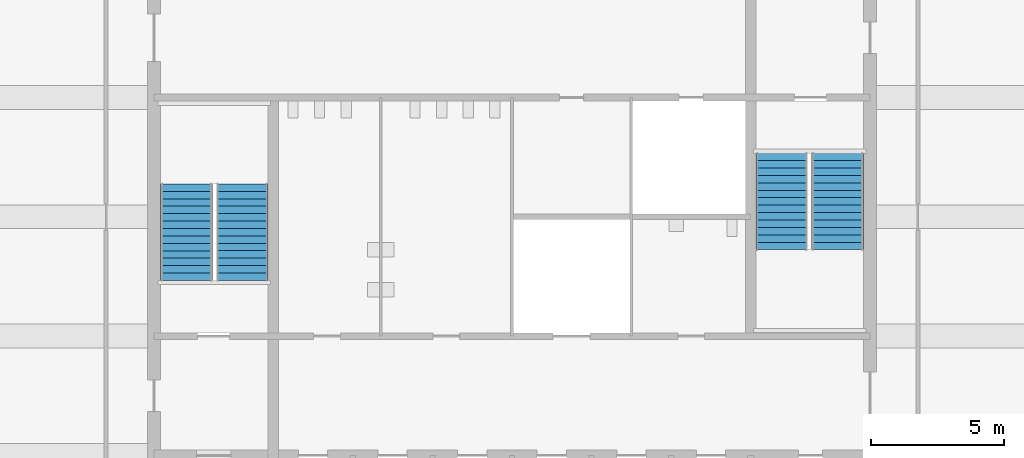
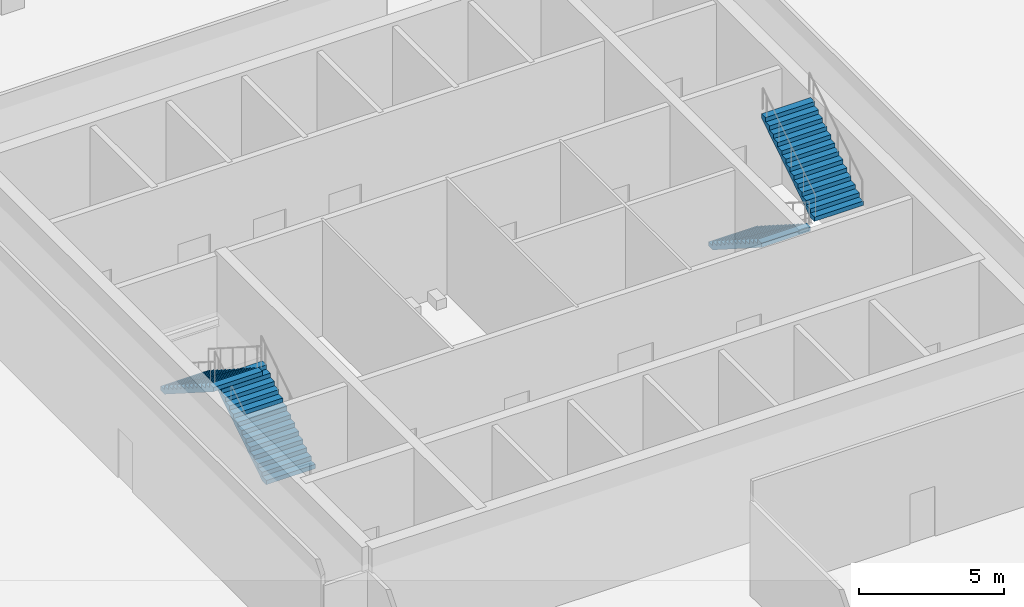
# One storey, part 9 of 12: 4 stair flights, 2 elements without a shape of their own.
"""IFC4 building model written with IfcOpenShell, lengths in metres."""

from ifc_helpers import new_model, si_unit, direction, frame, origin, place, context, subcontext, project, spatial, polyline, outline, extrude, material, type_object, element, aggregate, save


model = new_model("IFC4")

# Units and contexts
model_context = context("Model", 3, precision=1e-05, world=origin(), true_north=direction((0.0, 1.0)))
body_context = subcontext(model_context, "Body", "Model", "MODEL_VIEW")
ifc_project = project(units=[si_unit("LENGTHUNIT", "METRE"), si_unit("AREAUNIT", "SQUARE_METRE"), si_unit("VOLUMEUNIT", "CUBIC_METRE"), si_unit("PLANEANGLEUNIT", "RADIAN"), si_unit("MASSUNIT", "GRAM", prefix="KILO")], contexts=[model_context])

# Site, building, storey
site_placement = place(None, origin())
site = spatial("IfcSite", under=ifc_project, at=site_placement, CompositionType="ELEMENT")
building_placement = place(site_placement, origin())
building = spatial("IfcBuilding", under=site, at=building_placement, Name="Corais Broadcast Tower", CompositionType="ELEMENT")
storey_placement = place(building_placement, frame((0.0, 0.0, 110.60009765625)))
storey = spatial("IfcBuildingStorey", under=building, at=storey_placement, Name="L24", CompositionType="ELEMENT", Elevation=110.60009765625)

# Stair, stair flights
ifc_material_1 = material(Name="Concrete C30/37", Category="concrete")
stair_type = type_object("IfcStairType", Name="Half-turn stair 5000", PredefinedType="HALF_TURN_STAIR", material=ifc_material_1)
stair_1_placement = place(storey_placement, origin())
stair_1 = element("IfcStair", 1, at=stair_1_placement, inside=storey, type_object=stair_type, Name="Stair A L24", PredefinedType="HALF_TURN_STAIR")
ifc_material_2 = material(Name="Concrete C30/37", Category="concrete")
stair_flight_type = type_object("IfcStairFlightType", Name="Stair flight 5000", PredefinedType="STRAIGHT", material=ifc_material_2)
stair_flight_1_placement = place(storey_placement, frame((16.824951171875, 24.60009765625, 0.0), z_axis=(0.0, 0.0, 1.0), x_axis=(0.0, 1.0, 0.0)))
stair_flight_1 = element("IfcStairFlight", 2, at=stair_flight_1_placement, type_object=stair_flight_type, Name="STA flight 1", NumberOfRisers=14, NumberOfTreads=13, PredefinedType="STRAIGHT", RiserHeight=0.178571429, TreadLength=0.28, context=body_context, shape_type="SweptSolid", body=[
    extrude(outline(polyline([(0.0, 0.0), (0.0, 0.178466796875), (0.280029296875, 0.178466796875), (0.280029296875, 0.357177734375), (0.56005859375, 0.357177734375), (0.56005859375, 0.53564453125), (0.840087890625, 0.53564453125), (0.840087890625, 0.71435546875), (1.1201171875, 0.71435546875), (1.1201171875, 0.892822265625), (1.39990234375, 0.892822265625), (1.39990234375, 1.071533203125), (1.679931640625, 1.071533203125), (1.679931640625, 1.25), (1.9599609375, 1.25), (1.9599609375, 1.428466796875), (2.239990234375, 1.428466796875), (2.239990234375, 1.607177734375), (2.52001953125, 1.607177734375), (2.52001953125, 1.78564453125), (2.800048828125, 1.78564453125), (2.800048828125, 1.96435546875), (3.080078125, 1.96435546875), (3.080078125, 2.142822265625), (3.360107421875, 2.142822265625), (3.360107421875, 2.321533203125), (3.639892578125, 2.321533203125), (3.639892578125, 2.5), (3.639892578125, 2.1435546875), (0.27880859375, 0.0), (0.0, 0.0)])), frame((0.0, 0.97509765625, 0.0), z_axis=(0.0, -1.0, 0.0), x_axis=(1.0, 0.0, 0.0)), (0.0, 0.0, 1.0), 1.949951171875),
])
stair_flight_2_placement = place(storey_placement, frame((14.72509765625, 28.239990234375, 2.5), z_axis=(0.0, 0.0, 1.0), x_axis=(0.0, -1.0, 0.0)))
stair_flight_2 = element("IfcStairFlight", 3, at=stair_flight_2_placement, type_object=stair_flight_type, Name="STA flight 2", NumberOfRisers=14, NumberOfTreads=13, PredefinedType="STRAIGHT", RiserHeight=0.178571429, TreadLength=0.28, context=body_context, shape_type="SweptSolid", body=[
    extrude(outline(polyline([(0.0, 0.0), (0.0, 0.178466796875), (0.280029296875, 0.178466796875), (0.280029296875, 0.357177734375), (0.56005859375, 0.357177734375), (0.56005859375, 0.53564453125), (0.840087890625, 0.53564453125), (0.840087890625, 0.71435546875), (1.1201171875, 0.71435546875), (1.1201171875, 0.892822265625), (1.39990234375, 0.892822265625), (1.39990234375, 1.071533203125), (1.679931640625, 1.071533203125), (1.679931640625, 1.25), (1.9599609375, 1.25), (1.9599609375, 1.428466796875), (2.239990234375, 1.428466796875), (2.239990234375, 1.607177734375), (2.52001953125, 1.607177734375), (2.52001953125, 1.78564453125), (2.800048828125, 1.78564453125), (2.800048828125, 1.96435546875), (3.080078125, 1.96435546875), (3.080078125, 2.142822265625), (3.360107421875, 2.142822265625), (3.360107421875, 2.321533203125), (3.639892578125, 2.321533203125), (3.639892578125, 2.5), (3.639892578125, 2.1435546875), (0.27880859375, 0.0), (0.0, 0.0)])), frame((0.0, 0.97509765625, 0.0), z_axis=(0.0, -1.0, 0.0), x_axis=(1.0, 0.0, 0.0)), (0.0, 0.0, 1.0), 1.949951171875),
])
aggregate(stair_1, [stair_flight_1, stair_flight_2])

stair_2_placement = place(storey_placement, origin())
stair_2 = element("IfcStair", 4, at=stair_2_placement, inside=storey, type_object=stair_type, Name="Stair B L24", PredefinedType="HALF_TURN_STAIR")
stair_flight_3_placement = place(storey_placement, frame((37.175048828125, 29.39990234375, 0.0), z_axis=(0.0, 0.0, 1.0), x_axis=(0.0, -1.0, 0.0)))
stair_flight_3 = element("IfcStairFlight", 5, at=stair_flight_3_placement, type_object=stair_flight_type, Name="STB flight 1", NumberOfRisers=14, NumberOfTreads=13, PredefinedType="STRAIGHT", RiserHeight=0.178571429, TreadLength=0.28, context=body_context, shape_type="SweptSolid", body=[
    extrude(outline(polyline([(0.0, 0.0), (0.0, 0.178466796875), (0.280029296875, 0.178466796875), (0.280029296875, 0.357177734375), (0.56005859375, 0.357177734375), (0.56005859375, 0.53564453125), (0.840087890625, 0.53564453125), (0.840087890625, 0.71435546875), (1.1201171875, 0.71435546875), (1.1201171875, 0.892822265625), (1.39990234375, 0.892822265625), (1.39990234375, 1.071533203125), (1.679931640625, 1.071533203125), (1.679931640625, 1.25), (1.9599609375, 1.25), (1.9599609375, 1.428466796875), (2.239990234375, 1.428466796875), (2.239990234375, 1.607177734375), (2.52001953125, 1.607177734375), (2.52001953125, 1.78564453125), (2.800048828125, 1.78564453125), (2.800048828125, 1.96435546875), (3.080078125, 1.96435546875), (3.080078125, 2.142822265625), (3.360107421875, 2.142822265625), (3.360107421875, 2.321533203125), (3.639892578125, 2.321533203125), (3.639892578125, 2.5), (3.639892578125, 2.1435546875), (0.27880859375, 0.0), (0.0, 0.0)])), frame((0.0, 0.97509765625, 0.0), z_axis=(0.0, -1.0, 0.0), x_axis=(1.0, 0.0, 0.0)), (0.0, 0.0, 1.0), 1.949951171875),
])
stair_flight_4_placement = place(storey_placement, frame((39.27490234375, 25.760009765625, 2.5), z_axis=(0.0, 0.0, 1.0), x_axis=(0.0, 1.0, 0.0)))
stair_flight_4 = element("IfcStairFlight", 6, at=stair_flight_4_placement, type_object=stair_flight_type, Name="STB flight 2", NumberOfRisers=14, NumberOfTreads=13, PredefinedType="STRAIGHT", RiserHeight=0.178571429, TreadLength=0.28, context=body_context, shape_type="SweptSolid", body=[
    extrude(outline(polyline([(0.0, 0.0), (0.0, 0.178466796875), (0.280029296875, 0.178466796875), (0.280029296875, 0.357177734375), (0.56005859375, 0.357177734375), (0.56005859375, 0.53564453125), (0.840087890625, 0.53564453125), (0.840087890625, 0.71435546875), (1.1201171875, 0.71435546875), (1.1201171875, 0.892822265625), (1.39990234375, 0.892822265625), (1.39990234375, 1.071533203125), (1.679931640625, 1.071533203125), (1.679931640625, 1.25), (1.9599609375, 1.25), (1.9599609375, 1.428466796875), (2.239990234375, 1.428466796875), (2.239990234375, 1.607177734375), (2.52001953125, 1.607177734375), (2.52001953125, 1.78564453125), (2.800048828125, 1.78564453125), (2.800048828125, 1.96435546875), (3.080078125, 1.96435546875), (3.080078125, 2.142822265625), (3.360107421875, 2.142822265625), (3.360107421875, 2.321533203125), (3.639892578125, 2.321533203125), (3.639892578125, 2.5), (3.639892578125, 2.1435546875), (0.27880859375, 0.0), (0.0, 0.0)])), frame((0.0, 0.97509765625, 0.0), z_axis=(0.0, -1.0, 0.0), x_axis=(1.0, 0.0, 0.0)), (0.0, 0.0, 1.0), 1.949951171875),
])
aggregate(stair_2, [stair_flight_3, stair_flight_4])

save(model, "model.ifc")
